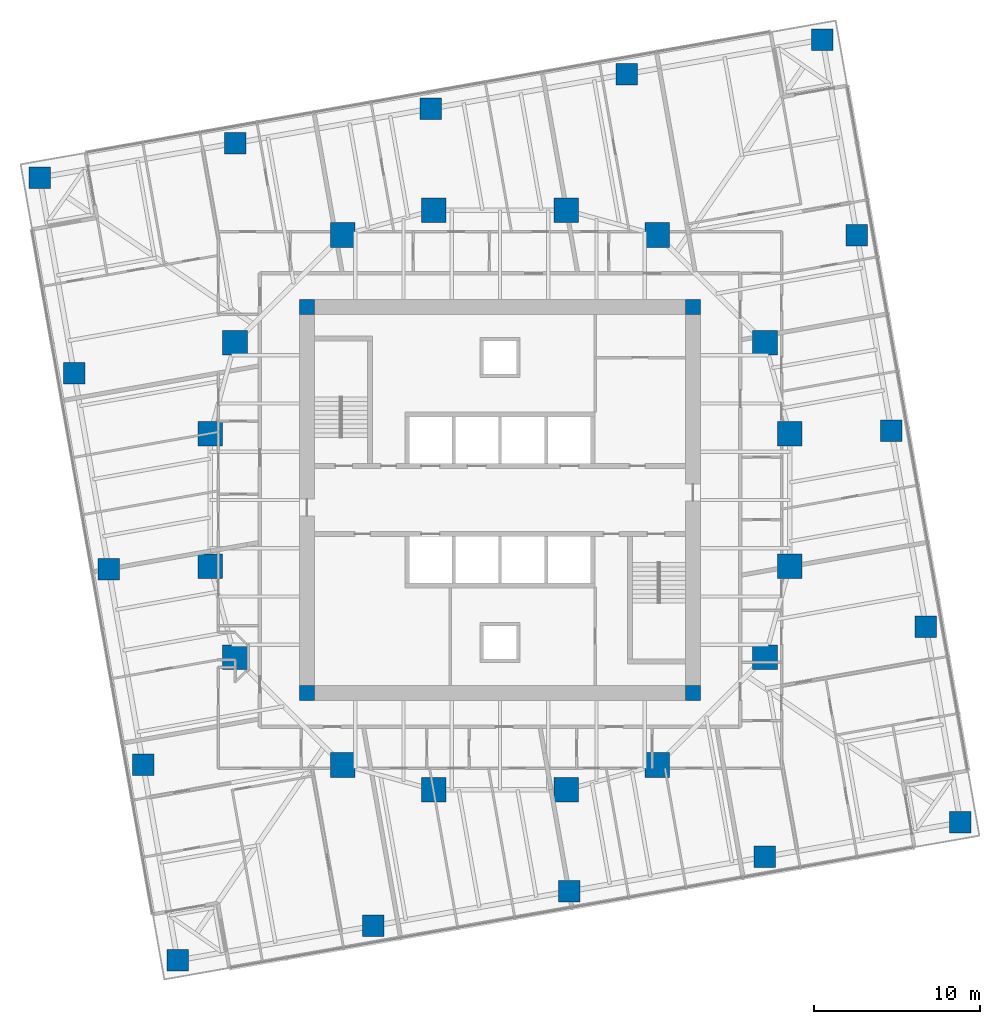
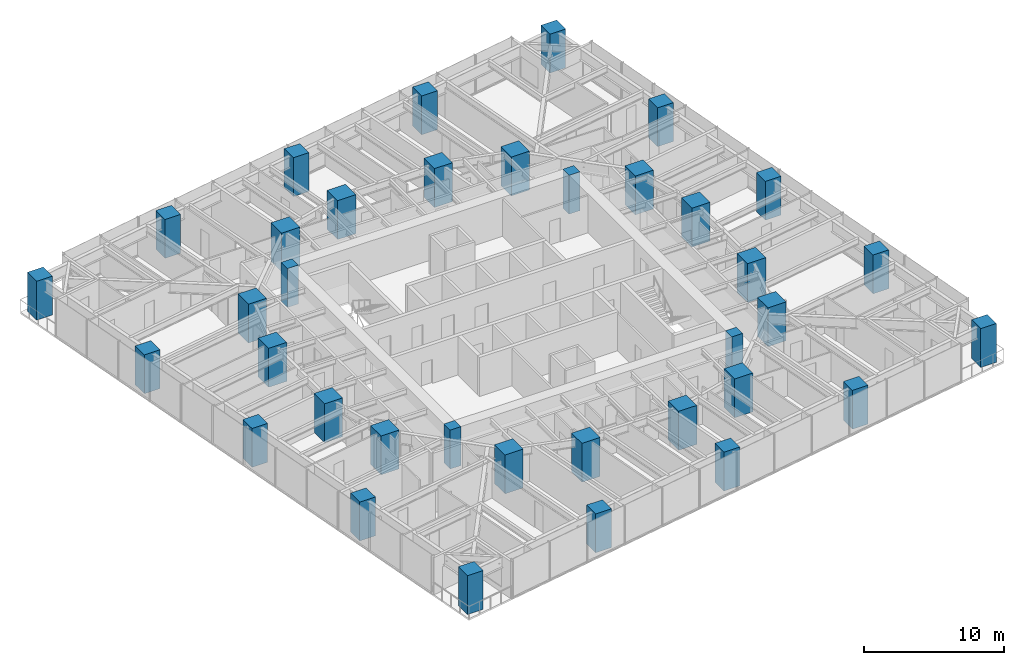
# One storey, part 1 of 14: 36 columns.
"""IFC4 building model written with IfcOpenShell, lengths in metres."""

from ifc_helpers import new_model, si_unit, direction, frame, origin, origin_2d, place, context, subcontext, project, spatial, rectangle, extrude, material, material_profile, profile_set, type_object, element, save


model = new_model("IFC4")

# Units and contexts
model_context = context("Model", 3, precision=1e-05, world=origin(), true_north=direction((0.0, 1.0)))
body_context = subcontext(model_context, "Body", "Model", "MODEL_VIEW")
ifc_project = project(units=[si_unit("LENGTHUNIT", "METRE"), si_unit("AREAUNIT", "SQUARE_METRE"), si_unit("VOLUMEUNIT", "CUBIC_METRE"), si_unit("PLANEANGLEUNIT", "RADIAN"), si_unit("MASSUNIT", "GRAM", prefix="KILO")], contexts=[model_context])

# Site, building, storey
site_placement = place(None, origin())
site = spatial("IfcSite", under=ifc_project, at=site_placement, CompositionType="ELEMENT")
building_placement = place(site_placement, origin())
building = spatial("IfcBuilding", under=site, at=building_placement, Name="Torsade Residences", CompositionType="ELEMENT")
storey_placement = place(building_placement, frame((0.0, 0.0, 96.39990234375)))
storey = spatial("IfcBuildingStorey", under=building, at=storey_placement, Name="L26", CompositionType="ELEMENT", Elevation=96.39990234375)

# Columns
ifc_material_1 = material(Name="Concrete 80 MPa", Category="concrete")
ifc_material_profile_1 = material_profile(ifc_material_1, rectangle(XDim=0.89990234375, YDim=0.89990234375, at=origin_2d()), Name="RC 900x900")
ifc_profile_set_1 = profile_set([ifc_material_profile_1], Name="Concrete 80 MPa")
column_type_1 = type_object("IfcColumnType", Name="CORE CORNER COLUMN RC 900x900", PredefinedType="COLUMN", material=ifc_profile_set_1)
for number, where, z_axis, x_axis, name in (
    (1, (28.35009765625, 18.35009765625, 0.0), (0.0, 0.0, 1.0), (1.0, 0.0, 0.0), "Core corner column CC1 L26"),
    (2, (51.64990234375, 18.35009765625, 0.0), (0.0, 0.0, 1.0), (1.0, 0.0, 0.0), "Core corner column CC2 L26"),
    (3, (51.64990234375, 41.64990234375, 0.0), (0.0, 0.0, 1.0), (1.0, 0.0, 0.0), "Core corner column CC3 L26"),
    (4, (28.35009765625, 41.64990234375, 0.0), (0.0, 0.0, 1.0), (1.0, 0.0, 0.0), "Core corner column CC4 L26"),
):
    element("IfcColumn", number, at=place(storey_placement, frame(where, z_axis=z_axis, x_axis=x_axis)), inside=storey, type_object=column_type_1, Name=name, PredefinedType="COLUMN", context=body_context, shape_type="SweptSolid", body=[
        extrude(rectangle(XDim=0.89990234375, YDim=0.89990234375, at=origin_2d()), origin(), (0.0, 0.0, 1.0), 3.400146484375),
    ])
ifc_material_2 = material(Name="Concrete 80 MPa", Category="concrete")
ifc_material_profile_2 = material_profile(ifc_material_2, rectangle(XDim=1.5, YDim=1.5, at=origin_2d()), Name="RC 1500x1500")
ifc_profile_set_2 = profile_set([ifc_material_profile_2], Name="Concrete 80 MPa")
column_type_2 = type_object("IfcColumnType", Name="INNER RING COLUMN RC 1500x1500", PredefinedType="COLUMN", material=ifc_profile_set_2)
for number, where, z_axis, x_axis, name in (
    (5, (57.5, 26.0, 0.0), (0.0, 0.0, 1.0), (1.0, 0.0, 0.0), "Inner ring column IR01 L26"),
    (6, (57.5, 34.0, 0.0), (0.0, 0.0, 1.0), (1.0, 0.0, 0.0), "Inner ring column IR02 L26"),
    (7, (56.0, 39.5, 0.0), (0.0, 0.0, 1.0), (1.0, 0.0, 0.0), "Inner ring column IR03 L26"),
    (8, (49.5, 46.0, 0.0), (0.0, 0.0, 1.0), (1.0, 0.0, 0.0), "Inner ring column IR04 L26"),
    (9, (44.0, 47.5, 0.0), (0.0, 0.0, 1.0), (1.0, 0.0, 0.0), "Inner ring column IR05 L26"),
    (10, (36.0, 47.5, 0.0), (0.0, 0.0, 1.0), (1.0, 0.0, 0.0), "Inner ring column IR06 L26"),
    (11, (30.5, 46.0, 0.0), (0.0, 0.0, 1.0), (1.0, 0.0, 0.0), "Inner ring column IR07 L26"),
    (12, (24.0, 39.5, 0.0), (0.0, 0.0, 1.0), (1.0, 0.0, 0.0), "Inner ring column IR08 L26"),
    (13, (22.5, 34.0, 0.0), (0.0, 0.0, 1.0), (1.0, 0.0, 0.0), "Inner ring column IR09 L26"),
    (14, (22.5, 26.0, 0.0), (0.0, 0.0, 1.0), (1.0, 0.0, 0.0), "Inner ring column IR10 L26"),
    (15, (24.0, 20.5, 0.0), (0.0, 0.0, 1.0), (1.0, 0.0, 0.0), "Inner ring column IR11 L26"),
    (16, (30.5, 14.0, 0.0), (0.0, 0.0, 1.0), (1.0, 0.0, 0.0), "Inner ring column IR12 L26"),
    (17, (36.0, 12.5, 0.0), (0.0, 0.0, 1.0), (1.0, 0.0, 0.0), "Inner ring column IR13 L26"),
    (18, (44.0, 12.5, 0.0), (0.0, 0.0, 1.0), (1.0, 0.0, 0.0), "Inner ring column IR14 L26"),
    (19, (49.5, 14.0, 0.0), (0.0, 0.0, 1.0), (1.0, 0.0, 0.0), "Inner ring column IR15 L26"),
    (20, (56.0, 20.5, 0.0), (0.0, 0.0, 1.0), (1.0, 0.0, 0.0), "Inner ring column IR16 L26"),
):
    element("IfcColumn", number, at=place(storey_placement, frame(where, z_axis=z_axis, x_axis=x_axis)), inside=storey, type_object=column_type_2, Name=name, PredefinedType="COLUMN", context=body_context, shape_type="SweptSolid", body=[
        extrude(rectangle(XDim=1.5, YDim=1.5, at=origin_2d()), origin(), (0.0, 0.0, 1.0), 3.400146484375),
    ])
ifc_material_3 = material(Name="Concrete 80 MPa", Category="concrete")
ifc_material_profile_3 = material_profile(ifc_material_3, rectangle(XDim=1.300048828125, YDim=1.300048828125, at=origin_2d()), Name="RC 1300x1300")
ifc_profile_set_3 = profile_set([ifc_material_profile_3], Name="Concrete 80 MPa")
column_type_3 = type_object("IfcColumnType", Name="TOWER COLUMN RC 1300x1300", PredefinedType="COLUMN", material=ifc_profile_set_3)
for number, where, z_axis, x_axis, name in (
    (21, (20.5322265625, 2.197021484375, 0.0), (0.0, 0.0, 1.0), (1.0, 0.0, 0.0), "Column TC3-01 L26"),
    (22, (32.349853515625, 4.28076171875, 0.0), (0.0, 0.0, 1.0), (1.0, 0.0, 0.0), "Column TC3-02 L26"),
    (23, (44.16748046875, 6.364501953125, 0.0), (0.0, 0.0, 1.0), (1.0, 0.0, 0.0), "Column TC3-03 L26"),
    (24, (55.9853515625, 8.448486328125, 0.0), (0.0, 0.0, 1.0), (1.0, 0.0, 0.0), "Column TC3-04 L26"),
    (25, (67.802978515625, 10.5322265625, 0.0), (0.0, 0.0, 1.0), (1.0, 0.0, 0.0), "Column TC3-05 L26"),
    (26, (65.71923828125, 22.349853515625, 0.0), (0.0, 0.0, 1.0), (1.0, 0.0, 0.0), "Column TC3-06 L26"),
    (27, (63.635498046875, 34.16748046875, 0.0), (0.0, 0.0, 1.0), (1.0, 0.0, 0.0), "Column TC3-07 L26"),
    (28, (61.551513671875, 45.9853515625, 0.0), (0.0, 0.0, 1.0), (1.0, 0.0, 0.0), "Column TC3-08 L26"),
    (29, (59.4677734375, 57.802978515625, 0.0), (0.0, 0.0, 1.0), (1.0, 0.0, 0.0), "Column TC3-09 L26"),
    (30, (47.650146484375, 55.71923828125, 0.0), (0.0, 0.0, 1.0), (1.0, 0.0, 0.0), "Column TC3-10 L26"),
    (31, (35.83251953125, 53.635498046875, 0.0), (0.0, 0.0, 1.0), (1.0, 0.0, 0.0), "Column TC3-11 L26"),
    (32, (24.0146484375, 51.551513671875, 0.0), (0.0, 0.0, 1.0), (1.0, 0.0, 0.0), "Column TC3-12 L26"),
    (33, (12.197021484375, 49.4677734375, 0.0), (0.0, 0.0, 1.0), (1.0, 0.0, 0.0), "Column TC3-13 L26"),
    (34, (14.28076171875, 37.650146484375, 0.0), (0.0, 0.0, 1.0), (1.0, 0.0, 0.0), "Column TC3-14 L26"),
    (35, (16.364501953125, 25.83251953125, 0.0), (0.0, 0.0, 1.0), (1.0, 0.0, 0.0), "Column TC3-15 L26"),
    (36, (18.448486328125, 14.0146484375, 0.0), (0.0, 0.0, 1.0), (1.0, 0.0, 0.0), "Column TC3-16 L26"),
):
    element("IfcColumn", number, at=place(storey_placement, frame(where, z_axis=z_axis, x_axis=x_axis)), inside=storey, type_object=column_type_3, Name=name, PredefinedType="COLUMN", context=body_context, shape_type="SweptSolid", body=[
        extrude(rectangle(XDim=1.300048828125, YDim=1.300048828125, at=origin_2d()), origin(), (0.0, 0.0, 1.0), 3.400146484375),
    ])

save(model, "model.ifc")
